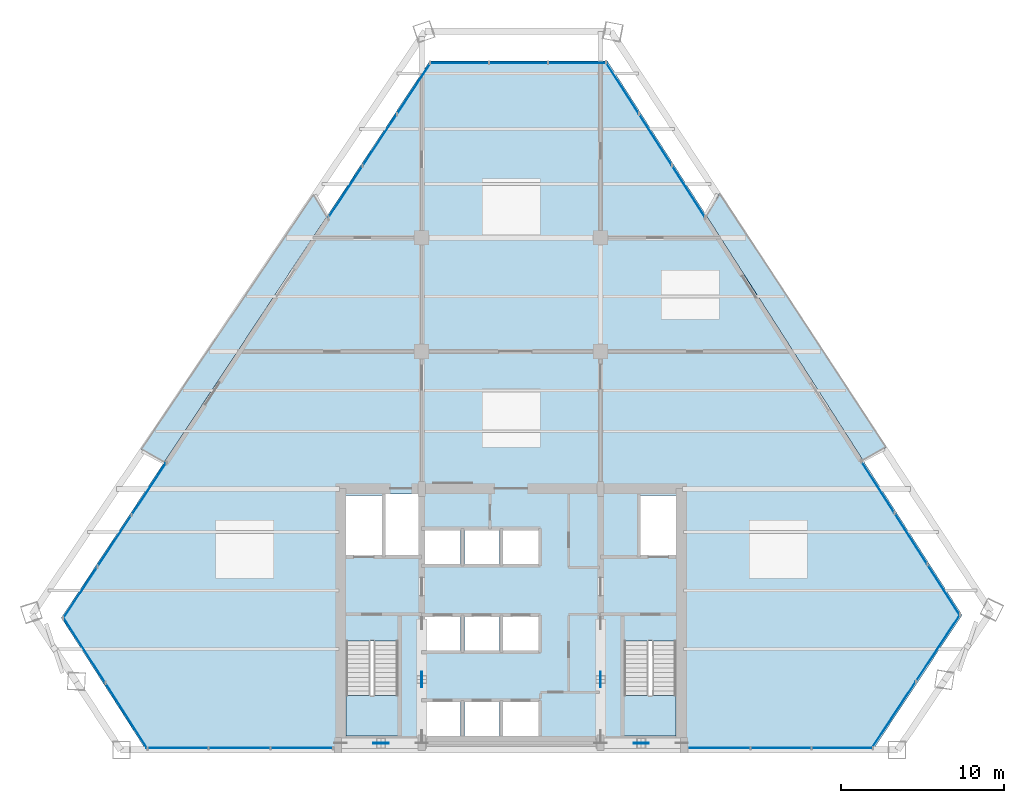
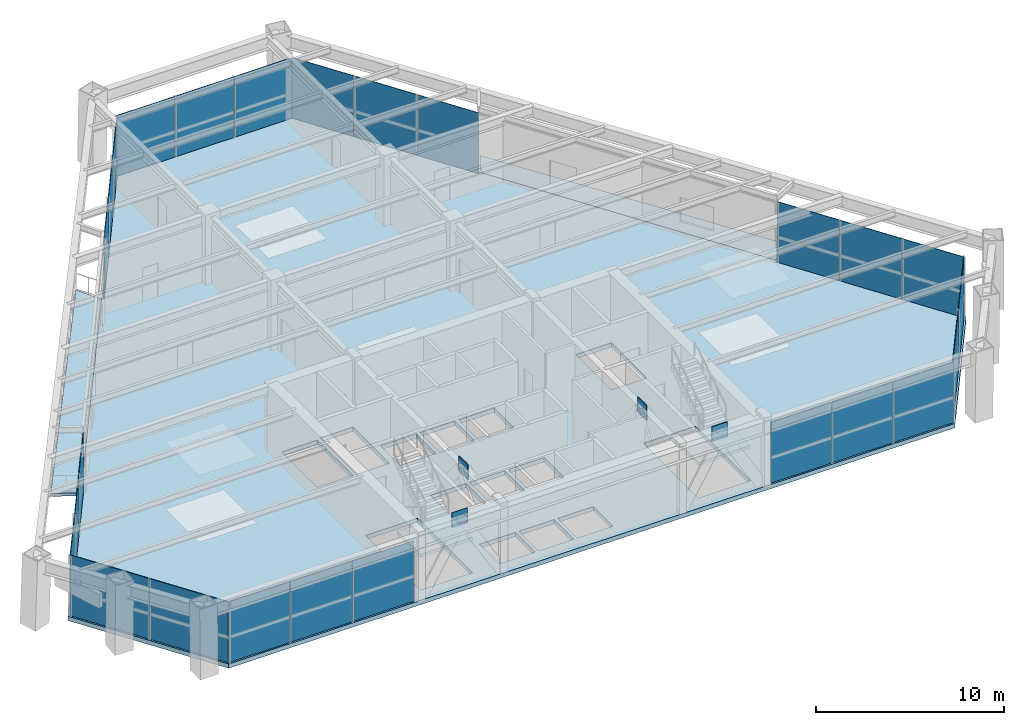
# One storey, part 7 of 12: 29 plates, 5 slabs, 11 elements without a shape of their own.
"""IFC4 building model written with IfcOpenShell, lengths in metres."""

from ifc_helpers import new_model, si_unit, direction, frame, origin, origin_2d, place, context, subcontext, project, spatial, polyline, rectangle, outline, extrude, source, transform, mapped, material, layer, layer_set, type_object, type_shapes, element, aggregate, save


model = new_model("IFC4")

# Units and contexts
model_context = context("Model", 3, precision=1e-05, world=origin(), true_north=direction((0.0, 1.0)))
body_context = subcontext(model_context, "Body", "Model", "MODEL_VIEW")
ifc_project = project(units=[si_unit("LENGTHUNIT", "METRE"), si_unit("AREAUNIT", "SQUARE_METRE"), si_unit("VOLUMEUNIT", "CUBIC_METRE"), si_unit("PLANEANGLEUNIT", "RADIAN"), si_unit("MASSUNIT", "GRAM", prefix="KILO")], contexts=[model_context])

# Site, building, storey
site_placement = place(None, origin())
site = spatial("IfcSite", under=ifc_project, at=site_placement, CompositionType="ELEMENT")
building_placement = place(site_placement, origin())
building = spatial("IfcBuilding", under=site, at=building_placement, Name="Varnakhor Terracotta Tower", CompositionType="ELEMENT")
storey_placement = place(building_placement, frame((0.0, 0.0, 121.0)))
storey = spatial("IfcBuildingStorey", under=building, at=storey_placement, Name="L30", CompositionType="ELEMENT", Elevation=121.0)

# Stair, slab
ifc_material_1 = material(Name="Concrete C40/50", Category="concrete")
stair_type = type_object("IfcStairType", Name="STR-CORE-OFFICE-1500", PredefinedType="HALF_TURN_STAIR", material=ifc_material_1)
stair_1_placement = place(storey_placement, origin())
stair_1 = element("IfcStair", 1, at=stair_1_placement, inside=storey, type_object=stair_type, Name="L30 Core Exit Stair ST-1", PredefinedType="HALF_TURN_STAIR")
ifc_layer_1 = layer(ifc_material_1, 0.179931640625, Name="Concrete C40/50")
ifc_layer_set_1 = layer_set([ifc_layer_1], Name="Concrete C40/50")
slab_type_1 = type_object("IfcSlabType", Name="SLB-LANDING-180", PredefinedType="LANDING", material=ifc_layer_set_1)
slab_1_placement = place(storey_placement, frame((0.0, 0.0, 2.10009765625)))
slab_1 = element("IfcSlab", 2, at=slab_1_placement, type_object=slab_type_1, Name="ST-1 landing 1", PredefinedType="LANDING", context=body_context, shape_type="SweptSolid", body=[
    extrude(outline(polyline([(-10.14990234375, 3.35009765625), (-10.14990234375, 0.85009765625), (-6.949951171875, 0.85009765625), (-6.949951171875, 3.35009765625), (-10.14990234375, 3.35009765625)])), origin(), (0.0, 0.0, 1.0), 0.199951171875),
])
aggregate(stair_1, [slab_1])

stair_2_placement = place(storey_placement, origin())
stair_2 = element("IfcStair", 3, at=stair_2_placement, inside=storey, type_object=stair_type, Name="L30 Core Exit Stair ST-2", PredefinedType="HALF_TURN_STAIR")
slab_2_placement = place(storey_placement, frame((0.0, 0.0, 2.10009765625)))
slab_2 = element("IfcSlab", 4, at=slab_2_placement, type_object=slab_type_1, Name="ST-2 landing 1", PredefinedType="LANDING", context=body_context, shape_type="SweptSolid", body=[
    extrude(outline(polyline([(6.949951171875, 3.35009765625), (6.949951171875, 0.85009765625), (10.14990234375, 0.85009765625), (10.14990234375, 3.35009765625), (6.949951171875, 3.35009765625)])), origin(), (0.0, 0.0, 1.0), 0.199951171875),
])
aggregate(stair_2, [slab_2])

# Slabs
ifc_layer_2 = layer(ifc_material_1, 0.195068359375, Name="Concrete C40/50")
ifc_layer_set_2 = layer_set([ifc_layer_2], Name="Concrete C40/50")
slab_type_2 = type_object("IfcSlabType", Name="SLB-LOGGIA-EXT-195", PredefinedType="FLOOR", material=ifc_layer_set_2)
slab_3_placement = place(storey_placement, frame((0.0, 0.0, -0.195068359375)))
element("IfcSlab", 5, at=slab_3_placement, inside=storey, type_object=slab_type_2, Name="L30 E Recessed Outdoor Loggia Slab", PredefinedType="FLOOR", context=body_context, shape_type="SweptSolid", body=[
    extrude(outline(polyline([(12.802490234375, 34.221435546875), (23.0517578125, 18.59130859375), (21.624755859375, 17.835693359375), (12.025146484375, 32.8310546875), (12.802490234375, 34.221435546875)])), origin(), (0.0, 0.0, 1.0), 0.195068359375),
])
slab_4_placement = place(storey_placement, frame((0.0, 0.0, -0.195068359375)))
element("IfcSlab", 6, at=slab_4_placement, inside=storey, type_object=slab_type_2, Name="L30 W Recessed Outdoor Loggia Slab", PredefinedType="FLOOR", context=body_context, shape_type="SweptSolid", body=[
    extrude(outline(polyline([(-22.752685546875, 18.46875), (-12.131591796875, 34.173583984375), (-11.352294921875, 32.78515625), (-21.320556640625, 17.71826171875), (-22.752685546875, 18.46875)])), origin(), (0.0, 0.0, 1.0), 0.195068359375),
])
ifc_layer_3 = layer(ifc_material_1, 0.280029296875, Name="Concrete C40/50")
ifc_layer_set_3 = layer_set([ifc_layer_3], Name="Concrete C40/50")
slab_type_3 = type_object("IfcSlabType", Name="SLB-SKY-280", PredefinedType="FLOOR", material=ifc_layer_set_3)
slab_5_placement = place(storey_placement, frame((0.0, 0.0, -0.280029296875)))
element("IfcSlab", 7, at=slab_5_placement, inside=storey, type_object=slab_type_3, Name="L30 Structural Floor Slab", PredefinedType="FLOOR", context=body_context, shape_type="SweptSolid", body=[
    extrude(outline(polyline([(-27.663818359375, 8.130126953125), (-5.009033203125, 42.373291015625), (5.91650390625, 42.373291015625), (27.7333984375, 8.29345703125), (22.24658203125, 0.0), (-22.458984375, 0.0), (-27.663818359375, 8.130126953125)]), holes=[polyline([(-3.10009765625, 0.85009765625), (-3.10009765625, 2.949951171875), (-5.300048828125, 2.949951171875), (-5.300048828125, 0.85009765625), (-3.10009765625, 0.85009765625)]), polyline([(-2.8798828125, 0.85009765625), (-0.719970703125, 0.85009765625), (-0.719970703125, 2.949951171875), (-2.8798828125, 2.949951171875), (-2.8798828125, 0.85009765625)]), polyline([(-10.14990234375, 0.85009765625), (-6.949951171875, 0.85009765625), (-6.949951171875, 6.695068359375), (-10.14990234375, 6.695068359375), (-10.14990234375, 0.85009765625)]), polyline([(-5.300048828125, 6.10009765625), (-3.10009765625, 6.10009765625), (-3.10009765625, 8.199951171875), (-5.300048828125, 8.199951171875), (-5.300048828125, 6.10009765625)]), polyline([(-5.300048828125, 11.419921875), (-3.10009765625, 11.419921875), (-3.10009765625, 13.52001953125), (-5.300048828125, 13.52001953125), (-5.300048828125, 11.419921875)]), polyline([(-10.14990234375, 11.8798828125), (-7.949951171875, 11.8798828125), (-7.949951171875, 15.64990234375), (-10.14990234375, 15.64990234375), (-10.14990234375, 11.8798828125)]), polyline([(-7.72998046875, 11.8798828125), (-5.699951171875, 11.8798828125), (-5.699951171875, 15.75), (-7.72998046875, 15.75), (-7.72998046875, 11.8798828125)]), polyline([(1.699951171875, 0.85009765625), (1.699951171875, 2.949951171875), (-0.5, 2.949951171875), (-0.5, 0.85009765625), (1.699951171875, 0.85009765625)]), polyline([(6.949951171875, 0.85009765625), (10.14990234375, 0.85009765625), (10.14990234375, 6.695068359375), (6.949951171875, 6.695068359375), (6.949951171875, 0.85009765625)]), polyline([(-2.8798828125, 6.10009765625), (-0.719970703125, 6.10009765625), (-0.719970703125, 8.199951171875), (-2.8798828125, 8.199951171875), (-2.8798828125, 6.10009765625)]), polyline([(-0.5, 6.10009765625), (1.699951171875, 6.10009765625), (1.699951171875, 8.199951171875), (-0.5, 8.199951171875), (-0.5, 6.10009765625)]), polyline([(-2.8798828125, 11.419921875), (-0.719970703125, 11.419921875), (-0.719970703125, 13.52001953125), (-2.8798828125, 13.52001953125), (-2.8798828125, 11.419921875)]), polyline([(-0.5, 11.419921875), (1.699951171875, 11.419921875), (1.699951171875, 13.52001953125), (-0.5, 13.52001953125), (-0.5, 11.419921875)]), polyline([(7.949951171875, 11.8798828125), (10.14990234375, 11.8798828125), (10.14990234375, 15.64990234375), (7.949951171875, 15.64990234375), (7.949951171875, 11.8798828125)])]), origin(), (0.0, 0.0, 1.0), 0.280029296875),
])

# Plates
ifc_material_2 = material(Name="Steel S460", Category="steel")
ifc_layer_4 = layer(ifc_material_2, 0.050048828125, Name="Steel S460")
ifc_layer_set_4 = layer_set([ifc_layer_4], Name="Steel S460")
plate_type_1 = type_object("IfcPlateType", Name="PLT-GUSSET-50", PredefinedType="USERDEFINED", material=ifc_layer_set_4)
shared_shape_1 = source(origin(), body_context, "Body", "SweptSolid", [
    extrude(rectangle(XDim=0.949951171875, YDim=0.044921875, at=origin_2d()), origin(), (0.0, 0.0, 1.0), 0.949951171875),
])
for number, where, z_axis, x_axis, name in (
    (8, (-8.0, 0.419921875, 3.7451171875), (0.0, 0.0, 1.0), (1.0, 0.0, 0.0), "L30 Core Brace Apex Gusset CSW"),
    (9, (8.0, 0.419921875, 3.7451171875), (0.0, 0.0, 1.0), (1.0, 0.0, 0.0), "L30 Core Brace Apex Gusset CSE"),
    (10, (-5.5, 4.324951171875, 3.7451171875), (0.0, 0.0, 1.0), (0.0, 1.0, 0.0), "L30 Core Brace Apex Gusset CWW"),
    (11, (5.5, 4.324951171875, 3.7451171875), (0.0, 0.0, 1.0), (0.0, 1.0, 0.0), "L30 Core Brace Apex Gusset CWE"),
):
    element("IfcPlate", number, at=place(storey_placement, frame(where, z_axis=z_axis, x_axis=x_axis)), inside=storey, type_object=plate_type_1, Name=name, ObjectType="GUSSET PLATE", PredefinedType="USERDEFINED", context=body_context, shape_type="MappedRepresentation", body=[
        mapped(shared_shape_1, transform((0.0, 0.0, 0.0), scale=1.0)),
    ])

# Curtain wall, plates
ifc_material_3 = material(Name="Anodised Aluminium Curtain Wall System", Category="aluminium")
curtain_wall_type = type_object("IfcCurtainWallType", Name="CW-SYS-SKYLOBBY", PredefinedType="NOTDEFINED", material=ifc_material_3)
curtain_wall_1_placement = place(storey_placement, origin())
curtain_wall_1 = element("IfcCurtainWall", 12, at=curtain_wall_1_placement, inside=storey, type_object=curtain_wall_type, Name="L30 W Facet Curtain Wall 1", PredefinedType="NOTDEFINED")
ifc_material_4 = material(Name="Solar-Control Low-E Insulated Glass Panel", Category="glass")
ifc_layer_5 = layer(ifc_material_4, 0.0458984375, Name="Solar-Control Low-E Insulated Glass Panel")
ifc_layer_set_5 = layer_set([ifc_layer_5], Name="Solar-Control Low-E Insulated Glass Panel")
plate_type_2 = type_object("IfcPlateType", Name="CWP-05", PredefinedType="CURTAIN_PANEL", material=ifc_layer_set_5)
shared_shape_2 = source(origin(), body_context, "Body", "SweptSolid", [
    extrude(rectangle(XDim=3.772216796875, YDim=0.035888671875, at=origin_2d()), origin(), (0.0, 0.0, 1.0), 3.949951171875),
])
type_shapes(plate_type_2, [shared_shape_2])
plate_1_placement = place(storey_placement, frame((-26.49560546875, 9.6787109375, 0.0), z_axis=(0.0, 0.0, 1.0), x_axis=(0.55176232457, 0.834001401189, 0.0)))
plate_1 = element("IfcPlate", 13, at=plate_1_placement, type_object=plate_type_2, Name="L30 W Facet Curtain Wall 1 Glazed Panel 1", PredefinedType="CURTAIN_PANEL", context=body_context, shape_type="MappedRepresentation", body=[
    mapped(shared_shape_2, transform((0.0, 0.0, 0.0), scale=1.0)),
])
plate_2_placement = place(storey_placement, frame((-24.39208984375, 12.85791015625, 0.0), z_axis=(0.0, 0.0, 1.0), x_axis=(0.55176232457, 0.834001401189, 0.0)))
plate_2 = element("IfcPlate", 14, at=plate_2_placement, type_object=plate_type_2, Name="L30 W Facet Curtain Wall 1 Glazed Panel 2", PredefinedType="CURTAIN_PANEL", context=body_context, shape_type="MappedRepresentation", body=[
    mapped(shared_shape_2, transform((0.0, 0.0, 0.0), scale=1.0)),
])
plate_3_placement = place(storey_placement, frame((-22.288818359375, 16.037353515625, 0.0), z_axis=(0.0, 0.0, 1.0), x_axis=(0.55176232457, 0.834001401189, 0.0)))
plate_3 = element("IfcPlate", 15, at=plate_3_placement, type_object=plate_type_2, Name="L30 W Facet Curtain Wall 1 Glazed Panel 3", PredefinedType="CURTAIN_PANEL", context=body_context, shape_type="MappedRepresentation", body=[
    mapped(shared_shape_2, transform((0.0, 0.0, 0.0), scale=1.0)),
])
aggregate(curtain_wall_1, [plate_1, plate_2, plate_3])

curtain_wall_2_placement = place(storey_placement, origin())
curtain_wall_2 = element("IfcCurtainWall", 16, at=curtain_wall_2_placement, inside=storey, type_object=curtain_wall_type, Name="L30 W Facet Curtain Wall 2", PredefinedType="NOTDEFINED")
plate_4_placement = place(storey_placement, frame((-10.18408203125, 34.333740234375, 0.0), z_axis=(0.0, 0.0, 1.0), x_axis=(0.55176232457, 0.834001401189, 0.0)))
plate_4 = element("IfcPlate", 17, at=plate_4_placement, type_object=plate_type_2, Name="L30 W Facet Curtain Wall 2 Glazed Panel 1", PredefinedType="CURTAIN_PANEL", context=body_context, shape_type="MappedRepresentation", body=[
    mapped(shared_shape_2, transform((0.0, 0.0, 0.0), scale=1.0)),
])
plate_5_placement = place(storey_placement, frame((-8.080810546875, 37.512939453125, 0.0), z_axis=(0.0, 0.0, 1.0), x_axis=(0.55176232457, 0.834001401189, 0.0)))
plate_5 = element("IfcPlate", 18, at=plate_5_placement, type_object=plate_type_2, Name="L30 W Facet Curtain Wall 2 Glazed Panel 2", PredefinedType="CURTAIN_PANEL", context=body_context, shape_type="MappedRepresentation", body=[
    mapped(shared_shape_2, transform((0.0, 0.0, 0.0), scale=1.0)),
])
plate_6_placement = place(storey_placement, frame((-5.977294921875, 40.6923828125, 0.0), z_axis=(0.0, 0.0, 1.0), x_axis=(0.55176232457, 0.834001401189, 0.0)))
plate_6 = element("IfcPlate", 19, at=plate_6_placement, type_object=plate_type_2, Name="L30 W Facet Curtain Wall 2 Glazed Panel 3", PredefinedType="CURTAIN_PANEL", context=body_context, shape_type="MappedRepresentation", body=[
    mapped(shared_shape_2, transform((0.0, 0.0, 0.0), scale=1.0)),
])
aggregate(curtain_wall_2, [plate_4, plate_5, plate_6])

curtain_wall_3_placement = place(storey_placement, origin())
curtain_wall_3 = element("IfcCurtainWall", 20, at=curtain_wall_3_placement, inside=storey, type_object=curtain_wall_type, Name="L30 Facet Curtain Wall 2", PredefinedType="NOTDEFINED")
shared_shape_3 = source(origin(), body_context, "Body", "SweptSolid", [
    extrude(rectangle(XDim=3.581787109375, YDim=0.035888671875, at=origin_2d()), origin(), (0.0, 0.0, 1.0), 3.949951171875),
])
plate_7_placement = place(storey_placement, frame((-3.168212890625, 42.25341796875, 0.0), z_axis=(0.0, 0.0, 1.0), x_axis=(1.0, 0.0, 0.0)))
plate_7 = element("IfcPlate", 21, at=plate_7_placement, type_object=plate_type_2, Name="L30 Facet Curtain Wall 2 Glazed Panel 1", PredefinedType="CURTAIN_PANEL", context=body_context, shape_type="MappedRepresentation", body=[
    mapped(shared_shape_3, transform((0.0, 0.0, 0.0), scale=1.0)),
])
plate_8_placement = place(storey_placement, frame((0.45361328125, 42.25341796875, 0.0), z_axis=(0.0, 0.0, 1.0), x_axis=(1.0, 0.0, 0.0)))
plate_8 = element("IfcPlate", 22, at=plate_8_placement, type_object=plate_type_2, Name="L30 Facet Curtain Wall 2 Glazed Panel 2", PredefinedType="CURTAIN_PANEL", context=body_context, shape_type="MappedRepresentation", body=[
    mapped(shared_shape_3, transform((0.0, 0.0, 0.0), scale=1.0)),
])
plate_9_placement = place(storey_placement, frame((4.075439453125, 42.25341796875, 0.0), z_axis=(0.0, 0.0, 1.0), x_axis=(1.0, 0.0, 0.0)))
plate_9 = element("IfcPlate", 23, at=plate_9_placement, type_object=plate_type_2, Name="L30 Facet Curtain Wall 2 Glazed Panel 3", PredefinedType="CURTAIN_PANEL", context=body_context, shape_type="MappedRepresentation", body=[
    mapped(shared_shape_3, transform((0.0, 0.0, 0.0), scale=1.0)),
])
aggregate(curtain_wall_3, [plate_7, plate_8, plate_9])

curtain_wall_4_placement = place(storey_placement, origin())
curtain_wall_4 = element("IfcCurtainWall", 24, at=curtain_wall_4_placement, inside=storey, type_object=curtain_wall_type, Name="L30 E Facet Curtain Wall 1", PredefinedType="NOTDEFINED")
shared_shape_4 = source(origin(), body_context, "Body", "SweptSolid", [
    extrude(rectangle(XDim=3.716796875, YDim=0.035888671875, at=origin_2d()), origin(), (0.0, 0.0, 1.0), 3.949951171875),
])
plate_10_placement = place(storey_placement, frame((6.844482421875, 40.701416015625, 0.0), z_axis=(0.0, 0.0, 1.0), x_axis=(0.539153022293, -0.842207823849, 0.0)))
plate_10 = element("IfcPlate", 25, at=plate_10_placement, type_object=plate_type_2, Name="L30 E Facet Curtain Wall 1 Glazed Panel 1", PredefinedType="CURTAIN_PANEL", context=body_context, shape_type="MappedRepresentation", body=[
    mapped(shared_shape_4, transform((0.0, 0.0, 0.0), scale=1.0)),
])
plate_11_placement = place(storey_placement, frame((8.869873046875, 37.537353515625, 0.0), z_axis=(0.0, 0.0, 1.0), x_axis=(0.539153022293, -0.842207823849, 0.0)))
plate_11 = element("IfcPlate", 26, at=plate_11_placement, type_object=plate_type_2, Name="L30 E Facet Curtain Wall 1 Glazed Panel 2", PredefinedType="CURTAIN_PANEL", context=body_context, shape_type="MappedRepresentation", body=[
    mapped(shared_shape_4, transform((0.0, 0.0, 0.0), scale=1.0)),
])
plate_12_placement = place(storey_placement, frame((10.895263671875, 34.37353515625, 0.0), z_axis=(0.0, 0.0, 1.0), x_axis=(0.539153022293, -0.842207823849, 0.0)))
plate_12 = element("IfcPlate", 27, at=plate_12_placement, type_object=plate_type_2, Name="L30 E Facet Curtain Wall 1 Glazed Panel 3", PredefinedType="CURTAIN_PANEL", context=body_context, shape_type="MappedRepresentation", body=[
    mapped(shared_shape_4, transform((0.0, 0.0, 0.0), scale=1.0)),
])
aggregate(curtain_wall_4, [plate_10, plate_11, plate_12])

curtain_wall_5_placement = place(storey_placement, origin())
curtain_wall_5 = element("IfcCurtainWall", 28, at=curtain_wall_5_placement, inside=storey, type_object=curtain_wall_type, Name="L30 E Facet Curtain Wall 2", PredefinedType="NOTDEFINED")
plate_13_placement = place(storey_placement, frame((22.552490234375, 16.163818359375, 0.0), z_axis=(0.0, 0.0, 1.0), x_axis=(0.539153022293, -0.842207823849, 0.0)))
plate_13 = element("IfcPlate", 29, at=plate_13_placement, type_object=plate_type_2, Name="L30 E Facet Curtain Wall 2 Glazed Panel 1", PredefinedType="CURTAIN_PANEL", context=body_context, shape_type="MappedRepresentation", body=[
    mapped(shared_shape_4, transform((0.0, 0.0, 0.0), scale=1.0)),
])
plate_14_placement = place(storey_placement, frame((24.577880859375, 13.0, 0.0), z_axis=(0.0, 0.0, 1.0), x_axis=(0.539153022293, -0.842207823849, 0.0)))
plate_14 = element("IfcPlate", 30, at=plate_14_placement, type_object=plate_type_2, Name="L30 E Facet Curtain Wall 2 Glazed Panel 2", PredefinedType="CURTAIN_PANEL", context=body_context, shape_type="MappedRepresentation", body=[
    mapped(shared_shape_4, transform((0.0, 0.0, 0.0), scale=1.0)),
])
plate_15_placement = place(storey_placement, frame((26.603515625, 9.836181640625, 0.0), z_axis=(0.0, 0.0, 1.0), x_axis=(0.539153022293, -0.842207823849, 0.0)))
plate_15 = element("IfcPlate", 31, at=plate_15_placement, type_object=plate_type_2, Name="L30 E Facet Curtain Wall 2 Glazed Panel 3", PredefinedType="CURTAIN_PANEL", context=body_context, shape_type="MappedRepresentation", body=[
    mapped(shared_shape_4, transform((0.0, 0.0, 0.0), scale=1.0)),
])
aggregate(curtain_wall_5, [plate_13, plate_14, plate_15])

curtain_wall_6_placement = place(storey_placement, origin())
curtain_wall_6 = element("IfcCurtainWall", 32, at=curtain_wall_6_placement, inside=storey, type_object=curtain_wall_type, Name="L30 Facet Curtain Wall 4", PredefinedType="NOTDEFINED")
shared_shape_5 = source(origin(), body_context, "Body", "SweptSolid", [
    extrude(rectangle(XDim=4.902099609375, YDim=0.035888671875, at=origin_2d()), origin(), (0.0, 0.0, 1.0), 3.949951171875),
])
plate_16_placement = place(storey_placement, frame((26.25341796875, 6.273681640625, 0.0), z_axis=(0.0, 0.0, 1.0), x_axis=(-0.55176232457, -0.834001401189, 0.0)))
plate_16 = element("IfcPlate", 33, at=plate_16_placement, type_object=plate_type_2, Name="L30 Facet Curtain Wall 4 Glazed Panel 1", PredefinedType="CURTAIN_PANEL", context=body_context, shape_type="MappedRepresentation", body=[
    mapped(shared_shape_5, transform((0.0, 0.0, 0.0), scale=1.0)),
])
plate_17_placement = place(storey_placement, frame((23.526611328125, 2.152099609375, 0.0), z_axis=(0.0, 0.0, 1.0), x_axis=(-0.55176232457, -0.834001401189, 0.0)))
plate_17 = element("IfcPlate", 34, at=plate_17_placement, type_object=plate_type_2, Name="L30 Facet Curtain Wall 4 Glazed Panel 2", PredefinedType="CURTAIN_PANEL", context=body_context, shape_type="MappedRepresentation", body=[
    mapped(shared_shape_5, transform((0.0, 0.0, 0.0), scale=1.0)),
])
aggregate(curtain_wall_6, [plate_16, plate_17])

curtain_wall_7_placement = place(storey_placement, origin())
curtain_wall_7 = element("IfcCurtainWall", 35, at=curtain_wall_7_placement, inside=storey, type_object=curtain_wall_type, Name="L30 South Wing Curtain Wall SSE", PredefinedType="NOTDEFINED")
shared_shape_6 = source(origin(), body_context, "Body", "SweptSolid", [
    extrude(rectangle(XDim=3.715576171875, YDim=0.035888671875, at=origin_2d()), origin(), (0.0, 0.0, 1.0), 3.949951171875),
])
plate_18_placement = place(storey_placement, frame((20.35888671875, 0.1201171875, 0.0), z_axis=(0.0, 0.0, 1.0), x_axis=(-1.0, 0.0, 0.0)))
plate_18 = element("IfcPlate", 36, at=plate_18_placement, type_object=plate_type_2, Name="L30 South Wing Curtain Wall SSE Glazed Panel 1", PredefinedType="CURTAIN_PANEL", context=body_context, shape_type="MappedRepresentation", body=[
    mapped(shared_shape_6, transform((0.0, 0.0, 0.0), scale=1.0)),
])
plate_19_placement = place(storey_placement, frame((16.603271484375, 0.1201171875, 0.0), z_axis=(0.0, 0.0, 1.0), x_axis=(-1.0, 0.0, 0.0)))
plate_19 = element("IfcPlate", 37, at=plate_19_placement, type_object=plate_type_2, Name="L30 South Wing Curtain Wall SSE Glazed Panel 2", PredefinedType="CURTAIN_PANEL", context=body_context, shape_type="MappedRepresentation", body=[
    mapped(shared_shape_6, transform((0.0, 0.0, 0.0), scale=1.0)),
])
plate_20_placement = place(storey_placement, frame((12.847900390625, 0.1201171875, 0.0), z_axis=(0.0, 0.0, 1.0), x_axis=(-1.0, 0.0, 0.0)))
plate_20 = element("IfcPlate", 38, at=plate_20_placement, type_object=plate_type_2, Name="L30 South Wing Curtain Wall SSE Glazed Panel 3", PredefinedType="CURTAIN_PANEL", context=body_context, shape_type="MappedRepresentation", body=[
    mapped(shared_shape_6, transform((0.0, 0.0, 0.0), scale=1.0)),
])
aggregate(curtain_wall_7, [plate_18, plate_19, plate_20])

curtain_wall_8_placement = place(storey_placement, origin())
curtain_wall_8 = element("IfcCurtainWall", 39, at=curtain_wall_8_placement, inside=storey, type_object=curtain_wall_type, Name="L30 South Wing Curtain Wall SSW", PredefinedType="NOTDEFINED")
shared_shape_7 = source(origin(), body_context, "Body", "SweptSolid", [
    extrude(rectangle(XDim=3.786376953125, YDim=0.035888671875, at=origin_2d()), origin(), (0.0, 0.0, 1.0), 3.949951171875),
])
plate_21_placement = place(storey_placement, frame((-12.88330078125, 0.1201171875, 0.0), z_axis=(0.0, 0.0, 1.0), x_axis=(-1.0, 0.0, 0.0)))
plate_21 = element("IfcPlate", 40, at=plate_21_placement, type_object=plate_type_2, Name="L30 South Wing Curtain Wall SSW Glazed Panel 1", PredefinedType="CURTAIN_PANEL", context=body_context, shape_type="MappedRepresentation", body=[
    mapped(shared_shape_7, transform((0.0, 0.0, 0.0), scale=1.0)),
])
plate_22_placement = place(storey_placement, frame((-16.709716796875, 0.1201171875, 0.0), z_axis=(0.0, 0.0, 1.0), x_axis=(-1.0, 0.0, 0.0)))
plate_22 = element("IfcPlate", 41, at=plate_22_placement, type_object=plate_type_2, Name="L30 South Wing Curtain Wall SSW Glazed Panel 2", PredefinedType="CURTAIN_PANEL", context=body_context, shape_type="MappedRepresentation", body=[
    mapped(shared_shape_7, transform((0.0, 0.0, 0.0), scale=1.0)),
])
plate_23_placement = place(storey_placement, frame((-20.535888671875, 0.1201171875, 0.0), z_axis=(0.0, 0.0, 1.0), x_axis=(-1.0, 0.0, 0.0)))
plate_23 = element("IfcPlate", 42, at=plate_23_placement, type_object=plate_type_2, Name="L30 South Wing Curtain Wall SSW Glazed Panel 3", PredefinedType="CURTAIN_PANEL", context=body_context, shape_type="MappedRepresentation", body=[
    mapped(shared_shape_7, transform((0.0, 0.0, 0.0), scale=1.0)),
])
aggregate(curtain_wall_8, [plate_21, plate_22, plate_23])

curtain_wall_9_placement = place(storey_placement, origin())
curtain_wall_9 = element("IfcCurtainWall", 43, at=curtain_wall_9_placement, inside=storey, type_object=curtain_wall_type, Name="L30 Facet Curtain Wall 6", PredefinedType="NOTDEFINED")
shared_shape_8 = source(origin(), body_context, "Body", "SweptSolid", [
    extrude(rectangle(XDim=4.756591796875, YDim=0.035888671875, at=origin_2d()), origin(), (0.0, 0.0, 1.0), 3.949951171875),
])
plate_24_placement = place(storey_placement, frame((-23.667236328125, 2.10986328125, 0.0), z_axis=(0.0, 0.0, 1.0), x_axis=(-0.539153022293, 0.842207823849, 0.0)))
plate_24 = element("IfcPlate", 44, at=plate_24_placement, type_object=plate_type_2, Name="L30 Facet Curtain Wall 6 Glazed Panel 1", PredefinedType="CURTAIN_PANEL", context=body_context, shape_type="MappedRepresentation", body=[
    mapped(shared_shape_8, transform((0.0, 0.0, 0.0), scale=1.0)),
])
plate_25_placement = place(storey_placement, frame((-26.25341796875, 6.149658203125, 0.0), z_axis=(0.0, 0.0, 1.0), x_axis=(-0.539153022293, 0.842207823849, 0.0)))
plate_25 = element("IfcPlate", 45, at=plate_25_placement, type_object=plate_type_2, Name="L30 Facet Curtain Wall 6 Glazed Panel 2", PredefinedType="CURTAIN_PANEL", context=body_context, shape_type="MappedRepresentation", body=[
    mapped(shared_shape_8, transform((0.0, 0.0, 0.0), scale=1.0)),
])
aggregate(curtain_wall_9, [plate_24, plate_25])

save(model, "model.ifc")
